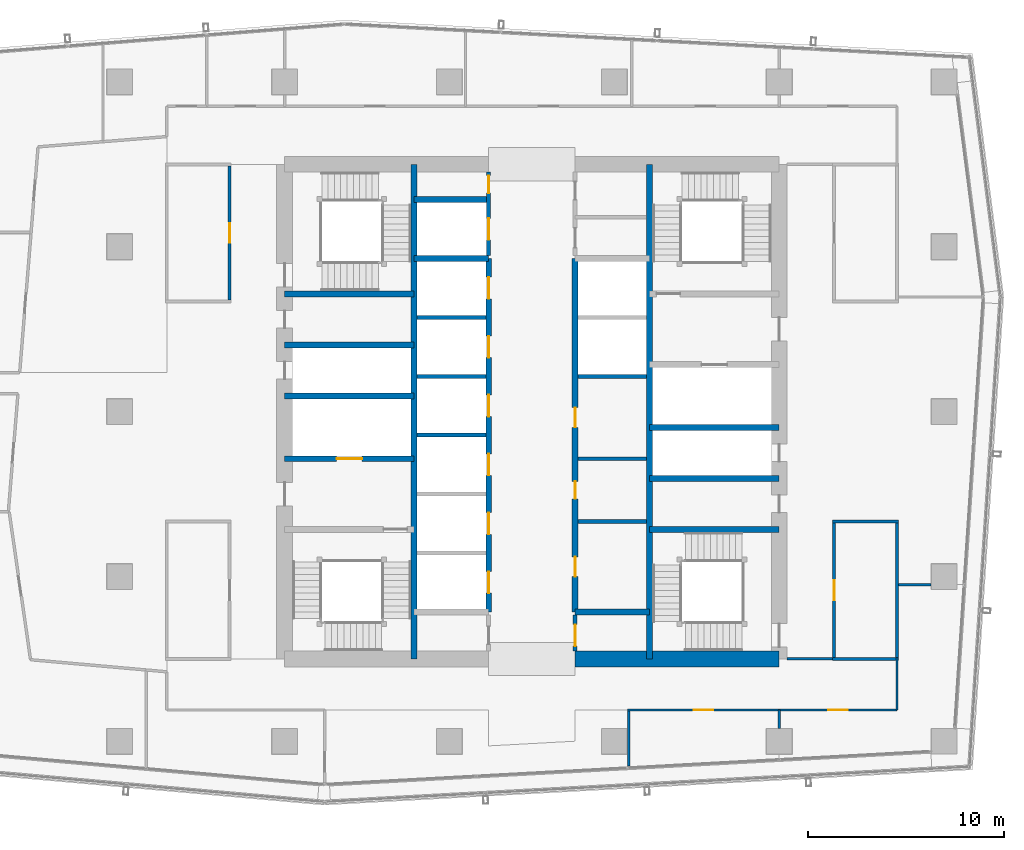
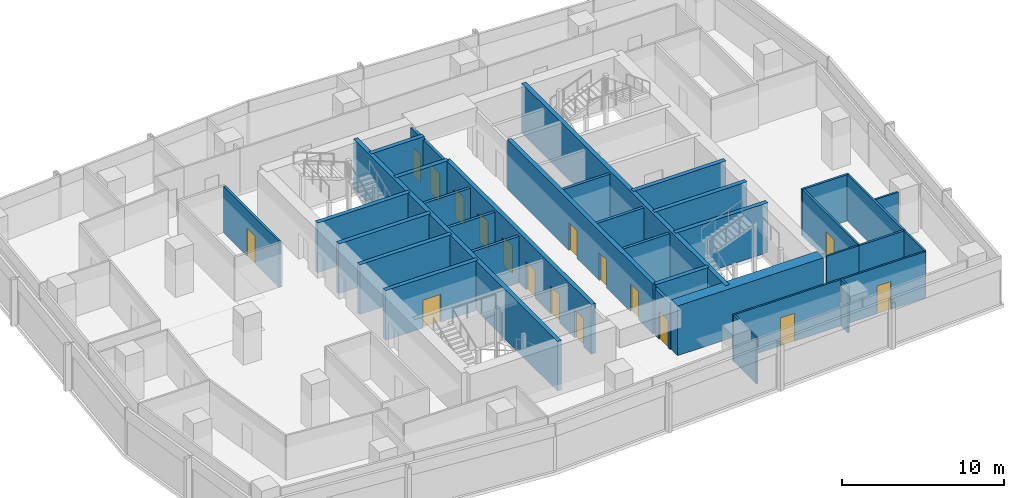
# One storey, part 23 of 29: 35 walls, 17 doors, 17 openings.
"""IFC4 building model written with IfcOpenShell, lengths in metres."""

from ifc_helpers import new_model, si_unit, direction, frame, frame_2d, origin, place, context, subcontext, project, spatial, rectangle, extrude, material, layer, layer_set, type_object, element, fill, save


model = new_model("IFC4")

# Units and contexts
model_context = context("Model", 3, precision=1e-05, world=origin(), true_north=direction((0.0, 1.0)))
body_context = subcontext(model_context, "Body", "Model", "MODEL_VIEW")
ifc_project = project(units=[si_unit("LENGTHUNIT", "METRE"), si_unit("AREAUNIT", "SQUARE_METRE"), si_unit("VOLUMEUNIT", "CUBIC_METRE"), si_unit("PLANEANGLEUNIT", "RADIAN"), si_unit("MASSUNIT", "GRAM", prefix="KILO")], contexts=[model_context])

# Site, building, storey
site_placement = place(None, origin())
site = spatial("IfcSite", under=ifc_project, at=site_placement, CompositionType="ELEMENT")
building_placement = place(site_placement, origin())
building = spatial("IfcBuilding", under=site, at=building_placement, Name="Rekha Terrace Tower", CompositionType="ELEMENT")
storey_placement = place(building_placement, frame((0.0, 0.0, 261.35009765625)))
storey = spatial("IfcBuildingStorey", under=building, at=storey_placement, Name="L66", CompositionType="ELEMENT", Elevation=261.35009765625)

# Walls
ifc_material_1 = material(Name="Concrete M60", Category="concrete")
ifc_layer_1 = layer(ifc_material_1, 0.300048828125)
ifc_layer_set_1 = layer_set([ifc_layer_1], Name="Concrete M60")
wall_type_1 = type_object("IfcWallType", Name="CI5 300 core internal shear wall", PredefinedType="SHEAR", material=ifc_layer_set_1)
for number, where, z_axis, x_axis, name in (
    (1, (31.800048828125, 21.0, 0.0), (0.0, 0.0, 1.0), (0.0, 1.0, 0.0), "Core wall X318 L66"),
    (2, (43.800048828125, 21.0, 0.0), (0.0, 0.0, 1.0), (0.0, 1.0, 0.0), "Core wall X438 L66"),
):
    element("IfcWall", number, at=place(storey_placement, frame(where, z_axis=z_axis, x_axis=x_axis)), inside=storey, type_object=wall_type_1, Name=name, PredefinedType="SHEAR", context=body_context, shape_type="SweptSolid", body=[
        extrude(rectangle(XDim=25.199951171875, YDim=0.300048828125, at=frame_2d((12.60009765625, 0.0))), origin(), (0.0, 0.0, 1.0), 3.75),
    ])

# Wall, openings, doors
wall_1_placement = place(storey_placement, frame((35.60009765625, 23.39990234375, 0.0), z_axis=(0.0, 0.0, 1.0), x_axis=(0.0, 1.0, 0.0)))
wall_1 = element("IfcWall", 3, at=wall_1_placement, inside=storey, type_object=wall_type_1, Name="Core wall X356 L66", PredefinedType="SHEAR", context=body_context, shape_type="SweptSolid", body=[
    extrude(rectangle(XDim=18.0, YDim=0.300048828125, at=frame_2d((9.0, 0.0))), origin(), (0.0, 0.0, 1.0), 3.75),
])
opening_1_placement = place(wall_1_placement, frame((0.949951171875, 0.0, 0.0)))
opening_1 = element("IfcOpeningElement", 4, at=opening_1_placement, cuts=wall_1, Name="Opening LD1", PredefinedType="OPENING", context=body_context, shape_type="SweptSolid", body=[
    extrude(rectangle(XDim=1.10009765625, YDim=2.10009765625, at=frame_2d((0.550048828125, 1.050048828125))), frame((0.0, 0.159912109375, 0.0), z_axis=(0.0, -1.0, 0.0), x_axis=(1.0, 0.0, 0.0)), (0.0, 0.0, 1.0), 0.320068359375),
])
opening_2_placement = place(wall_1_placement, frame((3.949951171875, 0.0, 0.0)))
opening_2 = element("IfcOpeningElement", 5, at=opening_2_placement, cuts=wall_1, Name="Opening LD1", PredefinedType="OPENING", context=body_context, shape_type="SweptSolid", body=[
    extrude(rectangle(XDim=1.10009765625, YDim=2.10009765625, at=frame_2d((0.550048828125, 1.050048828125))), frame((0.0, 0.159912109375, 0.0), z_axis=(0.0, -1.0, 0.0), x_axis=(1.0, 0.0, 0.0)), (0.0, 0.0, 1.0), 0.320068359375),
])
opening_3_placement = place(wall_1_placement, frame((6.949951171875, 0.0, 0.0)))
opening_3 = element("IfcOpeningElement", 6, at=opening_3_placement, cuts=wall_1, Name="Opening LD1", PredefinedType="OPENING", context=body_context, shape_type="SweptSolid", body=[
    extrude(rectangle(XDim=1.10009765625, YDim=2.10009765625, at=frame_2d((0.550048828125, 1.050048828125))), frame((0.0, 0.159912109375, 0.0), z_axis=(0.0, -1.0, 0.0), x_axis=(1.0, 0.0, 0.0)), (0.0, 0.0, 1.0), 0.320068359375),
])
opening_4_placement = place(wall_1_placement, frame((9.949951171875, 0.0, 0.0)))
opening_4 = element("IfcOpeningElement", 7, at=opening_4_placement, cuts=wall_1, Name="Opening LD1", PredefinedType="OPENING", context=body_context, shape_type="SweptSolid", body=[
    extrude(rectangle(XDim=1.10009765625, YDim=2.10009765625, at=frame_2d((0.550048828125, 1.050048828125))), frame((0.0, 0.159912109375, 0.0), z_axis=(0.0, -1.0, 0.0), x_axis=(1.0, 0.0, 0.0)), (0.0, 0.0, 1.0), 0.320068359375),
])
opening_5_placement = place(wall_1_placement, frame((12.949951171875, 0.0, 0.0)))
opening_5 = element("IfcOpeningElement", 8, at=opening_5_placement, cuts=wall_1, Name="Opening LD1", PredefinedType="OPENING", context=body_context, shape_type="SweptSolid", body=[
    extrude(rectangle(XDim=1.10009765625, YDim=2.10009765625, at=frame_2d((0.550048828125, 1.050048828125))), frame((0.0, 0.159912109375, 0.0), z_axis=(0.0, -1.0, 0.0), x_axis=(1.0, 0.0, 0.0)), (0.0, 0.0, 1.0), 0.320068359375),
])
opening_6_placement = place(wall_1_placement, frame((15.949951171875, 0.0, 0.0)))
opening_6 = element("IfcOpeningElement", 9, at=opening_6_placement, cuts=wall_1, Name="Opening LD1", PredefinedType="OPENING", context=body_context, shape_type="SweptSolid", body=[
    extrude(rectangle(XDim=1.10009765625, YDim=2.10009765625, at=frame_2d((0.550048828125, 1.050048828125))), frame((0.0, 0.159912109375, 0.0), z_axis=(0.0, -1.0, 0.0), x_axis=(1.0, 0.0, 0.0)), (0.0, 0.0, 1.0), 0.320068359375),
])
ifc_material_2 = material(Name="Stainless steel sliding landing door", Category="steel")
door_type_1 = type_object("IfcDoorType", Name="LD1 1100x2100 lift landing door", OperationType="SLIDING_TO_LEFT", PredefinedType="USERDEFINED", material=ifc_material_2)
door_1_placement = place(opening_1_placement, origin())
door_1 = element("IfcDoor", 10, at=door_1_placement, inside=storey, type_object=door_type_1, Name="Lift D1 landing door L66", ObjectType="LIFT LANDING DOOR", OperationType="SLIDING_TO_LEFT", OverallHeight=2.10009765625, OverallWidth=1.10009765625, PredefinedType="USERDEFINED", context=body_context, shape_type="SweptSolid", body=[
    extrude(rectangle(XDim=1.10009765625, YDim=2.10009765625, at=frame_2d((0.550048828125, 1.050048828125))), frame((0.0, 0.02490234375, 0.0), z_axis=(0.0, -1.0, 0.0), x_axis=(1.0, 0.0, 0.0)), (0.0, 0.0, 1.0), 0.050048828125),
])
fill(opening_1, door_1)
door_2_placement = place(opening_2_placement, origin())
door_2 = element("IfcDoor", 11, at=door_2_placement, inside=storey, type_object=door_type_1, Name="Lift D2 landing door L66", ObjectType="LIFT LANDING DOOR", OperationType="SLIDING_TO_LEFT", OverallHeight=2.10009765625, OverallWidth=1.10009765625, PredefinedType="USERDEFINED", context=body_context, shape_type="SweptSolid", body=[
    extrude(rectangle(XDim=1.10009765625, YDim=2.10009765625, at=frame_2d((0.550048828125, 1.050048828125))), frame((0.0, 0.02490234375, 0.0), z_axis=(0.0, -1.0, 0.0), x_axis=(1.0, 0.0, 0.0)), (0.0, 0.0, 1.0), 0.050048828125),
])
fill(opening_2, door_2)
door_3_placement = place(opening_3_placement, origin())
door_3 = element("IfcDoor", 12, at=door_3_placement, inside=storey, type_object=door_type_1, Name="Lift D3 landing door L66", ObjectType="LIFT LANDING DOOR", OperationType="SLIDING_TO_LEFT", OverallHeight=2.10009765625, OverallWidth=1.10009765625, PredefinedType="USERDEFINED", context=body_context, shape_type="SweptSolid", body=[
    extrude(rectangle(XDim=1.10009765625, YDim=2.10009765625, at=frame_2d((0.550048828125, 1.050048828125))), frame((0.0, 0.02490234375, 0.0), z_axis=(0.0, -1.0, 0.0), x_axis=(1.0, 0.0, 0.0)), (0.0, 0.0, 1.0), 0.050048828125),
])
fill(opening_3, door_3)
door_4_placement = place(opening_4_placement, origin())
door_4 = element("IfcDoor", 13, at=door_4_placement, inside=storey, type_object=door_type_1, Name="Lift D4 landing door L66", ObjectType="LIFT LANDING DOOR", OperationType="SLIDING_TO_LEFT", OverallHeight=2.10009765625, OverallWidth=1.10009765625, PredefinedType="USERDEFINED", context=body_context, shape_type="SweptSolid", body=[
    extrude(rectangle(XDim=1.10009765625, YDim=2.10009765625, at=frame_2d((0.550048828125, 1.050048828125))), frame((0.0, 0.02490234375, 0.0), z_axis=(0.0, -1.0, 0.0), x_axis=(1.0, 0.0, 0.0)), (0.0, 0.0, 1.0), 0.050048828125),
])
fill(opening_4, door_4)
door_5_placement = place(opening_5_placement, origin())
door_5 = element("IfcDoor", 14, at=door_5_placement, inside=storey, type_object=door_type_1, Name="Lift D5 landing door L66", ObjectType="LIFT LANDING DOOR", OperationType="SLIDING_TO_LEFT", OverallHeight=2.10009765625, OverallWidth=1.10009765625, PredefinedType="USERDEFINED", context=body_context, shape_type="SweptSolid", body=[
    extrude(rectangle(XDim=1.10009765625, YDim=2.10009765625, at=frame_2d((0.550048828125, 1.050048828125))), frame((0.0, 0.02490234375, 0.0), z_axis=(0.0, -1.0, 0.0), x_axis=(1.0, 0.0, 0.0)), (0.0, 0.0, 1.0), 0.050048828125),
])
fill(opening_5, door_5)
door_6_placement = place(opening_6_placement, origin())
door_6 = element("IfcDoor", 15, at=door_6_placement, inside=storey, type_object=door_type_1, Name="Lift D6 landing door L66", ObjectType="LIFT LANDING DOOR", OperationType="SLIDING_TO_LEFT", OverallHeight=2.10009765625, OverallWidth=1.10009765625, PredefinedType="USERDEFINED", context=body_context, shape_type="SweptSolid", body=[
    extrude(rectangle(XDim=1.10009765625, YDim=2.10009765625, at=frame_2d((0.550048828125, 1.050048828125))), frame((0.0, 0.02490234375, 0.0), z_axis=(0.0, -1.0, 0.0), x_axis=(1.0, 0.0, 0.0)), (0.0, 0.0, 1.0), 0.050048828125),
])
fill(opening_6, door_6)

wall_2_placement = place(storey_placement, frame((40.0, 23.39990234375, 0.0), z_axis=(0.0, 0.0, 1.0), x_axis=(0.0, 1.0, 0.0)))
wall_2 = element("IfcWall", 16, at=wall_2_placement, inside=storey, type_object=wall_type_1, Name="Core wall X400 L66", PredefinedType="SHEAR", context=body_context, shape_type="SweptSolid", body=[
    extrude(rectangle(XDim=18.0, YDim=0.300048828125, at=frame_2d((9.0, 0.0))), origin(), (0.0, 0.0, 1.0), 3.75),
])
opening_7_placement = place(wall_2_placement, frame((1.800048828125, 0.0, 0.0)))
opening_7 = element("IfcOpeningElement", 17, at=opening_7_placement, cuts=wall_2, Name="Opening D3", PredefinedType="OPENING", context=body_context, shape_type="SweptSolid", body=[
    extrude(rectangle(XDim=1.0, YDim=2.10009765625, at=frame_2d((0.5, 1.050048828125))), frame((0.0, 0.159912109375, 0.0), z_axis=(0.0, -1.0, 0.0), x_axis=(1.0, 0.0, 0.0)), (0.0, 0.0, 1.0), 0.320068359375),
])
opening_8_placement = place(wall_2_placement, frame((5.75, 0.0, 0.0)))
opening_8 = element("IfcOpeningElement", 18, at=opening_8_placement, cuts=wall_2, Name="Opening D5", PredefinedType="OPENING", context=body_context, shape_type="SweptSolid", body=[
    extrude(rectangle(XDim=0.89990234375, YDim=2.10009765625, at=frame_2d((0.449951171875, 1.050048828125))), frame((0.0, 0.159912109375, 0.0), z_axis=(0.0, -1.0, 0.0), x_axis=(1.0, 0.0, 0.0)), (0.0, 0.0, 1.0), 0.320068359375),
])
opening_9_placement = place(wall_2_placement, frame((9.39990234375, 0.0, 0.0)))
opening_9 = element("IfcOpeningElement", 19, at=opening_9_placement, cuts=wall_2, Name="Opening D3", PredefinedType="OPENING", context=body_context, shape_type="SweptSolid", body=[
    extrude(rectangle(XDim=1.0, YDim=2.10009765625, at=frame_2d((0.5, 1.050048828125))), frame((0.0, 0.159912109375, 0.0), z_axis=(0.0, -1.0, 0.0), x_axis=(1.0, 0.0, 0.0)), (0.0, 0.0, 1.0), 0.320068359375),
])
ifc_material_3 = material(Name="Laminated timber fire door", Category="wood")
door_type_2 = type_object("IfcDoorType", Name="D3 1000x2100 WC door", OperationType="SINGLE_SWING_LEFT", PredefinedType="DOOR", material=ifc_material_3)
door_7_placement = place(opening_7_placement, origin())
door_7 = element("IfcDoor", 20, at=door_7_placement, inside=storey, type_object=door_type_2, Name="Door staff wc L66", OperationType="SINGLE_SWING_LEFT", OverallHeight=2.10009765625, OverallWidth=1.0, PredefinedType="DOOR", context=body_context, shape_type="SweptSolid", body=[
    extrude(rectangle(XDim=1.0, YDim=2.10009765625, at=frame_2d((0.5, 1.050048828125))), frame((0.0, 0.02490234375, 0.0), z_axis=(0.0, -1.0, 0.0), x_axis=(1.0, 0.0, 0.0)), (0.0, 0.0, 1.0), 0.050048828125),
])
fill(opening_7, door_7)
door_8_placement = place(opening_9_placement, origin())
door_8 = element("IfcDoor", 21, at=door_8_placement, inside=storey, type_object=door_type_2, Name="Door staff wc L66", OperationType="SINGLE_SWING_LEFT", OverallHeight=2.10009765625, OverallWidth=1.0, PredefinedType="DOOR", context=body_context, shape_type="SweptSolid", body=[
    extrude(rectangle(XDim=1.0, YDim=2.10009765625, at=frame_2d((0.5, 1.050048828125))), frame((0.0, 0.02490234375, 0.0), z_axis=(0.0, -1.0, 0.0), x_axis=(1.0, 0.0, 0.0)), (0.0, 0.0, 1.0), 0.050048828125),
])
fill(opening_9, door_8)
ifc_material_4 = material(Name="Steel fire door", Category="steel")
door_type_3 = type_object("IfcDoorType", Name="D5 900x2100 riser access door", OperationType="SINGLE_SWING_LEFT", PredefinedType="DOOR", material=ifc_material_4)
door_9_placement = place(opening_8_placement, origin())
door_9 = element("IfcDoor", 22, at=door_9_placement, inside=storey, type_object=door_type_3, Name="Door records store L66", OperationType="SINGLE_SWING_LEFT", OverallHeight=2.10009765625, OverallWidth=0.89990234375, PredefinedType="DOOR", context=body_context, shape_type="SweptSolid", body=[
    extrude(rectangle(XDim=0.89990234375, YDim=2.10009765625, at=frame_2d((0.449951171875, 1.050048828125))), frame((0.0, 0.02490234375, 0.0), z_axis=(0.0, -1.0, 0.0), x_axis=(1.0, 0.0, 0.0)), (0.0, 0.0, 1.0), 0.050048828125),
])
fill(opening_8, door_9)

# Walls
for number, where, z_axis, x_axis, name in (
    (23, (31.800048828125, 41.39990234375, 0.0), (0.0, 0.0, 1.0), (1.0, 0.0, 0.0), "Core wall Y414W L66"),
    (24, (31.800048828125, 44.39990234375, 0.0), (0.0, 0.0, 1.0), (1.0, 0.0, 0.0), "Core wall Y444W L66"),
    (25, (40.0, 23.39990234375, 0.0), (0.0, 0.0, 1.0), (1.0, 0.0, 0.0), "Core wall Y234E L66"),
):
    element("IfcWall", number, at=place(storey_placement, frame(where, z_axis=z_axis, x_axis=x_axis)), inside=storey, type_object=wall_type_1, Name=name, PredefinedType="SHEAR", context=body_context, shape_type="SweptSolid", body=[
        extrude(rectangle(XDim=3.800048828125, YDim=0.300048828125, at=frame_2d((1.89990234375, 0.0))), origin(), (0.0, 0.0, 1.0), 3.75),
    ])

# Wall, opening, door
wall_3_placement = place(storey_placement, frame((25.199951171875, 31.199951171875, 0.0), z_axis=(0.0, 0.0, 1.0), x_axis=(1.0, 0.0, 0.0)))
wall_3 = element("IfcWall", 26, at=wall_3_placement, inside=storey, type_object=wall_type_1, Name="Core wall Y312W L66", PredefinedType="SHEAR", context=body_context, shape_type="SweptSolid", body=[
    extrude(rectangle(XDim=6.60009765625, YDim=0.300048828125, at=frame_2d((3.300048828125, 0.0))), origin(), (0.0, 0.0, 1.0), 3.75),
])
opening_10_placement = place(wall_3_placement, frame((2.64990234375, 0.0, 0.0)))
opening_10 = element("IfcOpeningElement", 27, at=opening_10_placement, cuts=wall_3, Name="Opening LD2", PredefinedType="OPENING", context=body_context, shape_type="SweptSolid", body=[
    extrude(rectangle(XDim=1.300048828125, YDim=2.10009765625, at=frame_2d((0.64990234375, 1.050048828125))), frame((0.0, 0.159912109375, 0.0), z_axis=(0.0, -1.0, 0.0), x_axis=(1.0, 0.0, 0.0)), (0.0, 0.0, 1.0), 0.320068359375),
])
door_type_4 = type_object("IfcDoorType", Name="LD2 1300x2100 fire lift landing door", OperationType="SLIDING_TO_LEFT", PredefinedType="USERDEFINED", material=ifc_material_2)
door_10_placement = place(opening_10_placement, origin())
door_10 = element("IfcDoor", 28, at=door_10_placement, inside=storey, type_object=door_type_4, Name="Lift FL1 landing door L66", ObjectType="LIFT LANDING DOOR", OperationType="SLIDING_TO_LEFT", OverallHeight=2.10009765625, OverallWidth=1.300048828125, PredefinedType="USERDEFINED", context=body_context, shape_type="SweptSolid", body=[
    extrude(rectangle(XDim=1.300048828125, YDim=2.10009765625, at=frame_2d((0.64990234375, 1.050048828125))), frame((0.0, 0.02490234375, 0.0), z_axis=(0.0, -1.0, 0.0), x_axis=(1.0, 0.0, 0.0)), (0.0, 0.0, 1.0), 0.050048828125),
])
fill(opening_10, door_10)

# Walls
for number, where, z_axis, x_axis, name in (
    (29, (25.199951171875, 34.39990234375, 0.0), (0.0, 0.0, 1.0), (1.0, 0.0, 0.0), "Core wall Y344W L66"),
    (30, (25.199951171875, 37.0, 0.0), (0.0, 0.0, 1.0), (1.0, 0.0, 0.0), "Core wall Y370W L66"),
    (31, (25.199951171875, 39.60009765625, 0.0), (0.0, 0.0, 1.0), (1.0, 0.0, 0.0), "Core wall Y396W L66"),
):
    element("IfcWall", number, at=place(storey_placement, frame(where, z_axis=z_axis, x_axis=x_axis)), inside=storey, type_object=wall_type_1, Name=name, PredefinedType="SHEAR", context=body_context, shape_type="SweptSolid", body=[
        extrude(rectangle(XDim=6.60009765625, YDim=0.300048828125, at=frame_2d((3.300048828125, 0.0))), origin(), (0.0, 0.0, 1.0), 3.75),
    ])
for number, where, z_axis, x_axis, name in (
    (32, (43.800048828125, 27.60009765625, 0.0), (0.0, 0.0, 1.0), (1.0, 0.0, 0.0), "Core wall Y276E L66"),
    (33, (43.800048828125, 30.199951171875, 0.0), (0.0, 0.0, 1.0), (1.0, 0.0, 0.0), "Core wall Y302E L66"),
    (34, (43.800048828125, 32.800048828125, 0.0), (0.0, 0.0, 1.0), (1.0, 0.0, 0.0), "Core wall Y328E L66"),
):
    element("IfcWall", number, at=place(storey_placement, frame(where, z_axis=z_axis, x_axis=x_axis)), inside=storey, type_object=wall_type_1, Name=name, PredefinedType="SHEAR", context=body_context, shape_type="SweptSolid", body=[
        extrude(rectangle(XDim=6.599853515625, YDim=0.300048828125, at=frame_2d((3.2998046875, 0.0))), origin(), (0.0, 0.0, 1.0), 3.75),
    ])
ifc_layer_2 = layer(ifc_material_1, 0.800048828125)
ifc_layer_set_2 = layer_set([ifc_layer_2], Name="Concrete M60")
wall_type_2 = type_object("IfcWallType", Name="SW5 800 core outer shear wall", PredefinedType="SHEAR", material=ifc_layer_set_2)
wall_4_placement = place(storey_placement, frame((40.0, 21.0, 0.0), z_axis=(0.0, 0.0, 1.0), x_axis=(1.0, 0.0, 0.0)))
element("IfcWall", 35, at=wall_4_placement, inside=storey, type_object=wall_type_2, Name="Core wall S2 L66", PredefinedType="SHEAR", context=body_context, shape_type="SweptSolid", body=[
    extrude(rectangle(XDim=10.39990234375, YDim=0.800048828125, at=frame_2d((5.199951171875, 0.0))), origin(), (0.0, 0.0, 1.0), 3.75),
])

# Wall, opening, door
ifc_material_5 = material(Name="Concrete block masonry, 1 hour", Category="masonry")
ifc_layer_3 = layer(ifc_material_5, 0.14990234375)
ifc_layer_set_3 = layer_set([ifc_layer_3], Name="Concrete block masonry, 1 hour")
wall_type_3 = type_object("IfcWallType", Name="WP2 150 tenancy partition", PredefinedType="PARTITIONING", material=ifc_layer_set_3)
wall_5_placement = place(storey_placement, frame((22.39990234375, 39.27490234375, 0.0), z_axis=(0.0, 0.0, 1.0), x_axis=(0.0, 1.0, 0.0)))
wall_5 = element("IfcWall", 36, at=wall_5_placement, inside=storey, type_object=wall_type_3, Name="Women's WC wall L66", PredefinedType="PARTITIONING", context=body_context, shape_type="SweptSolid", body=[
    extrude(rectangle(XDim=6.85009765625, YDim=0.14990234375, at=frame_2d((3.425048828125, 0.0))), origin(), (0.0, 0.0, 1.0), 3.5),
])
opening_11_placement = place(wall_5_placement, frame((2.925048828125, 0.0, 0.0)))
opening_11 = element("IfcOpeningElement", 37, at=opening_11_placement, cuts=wall_5, Name="Opening D3", PredefinedType="OPENING", context=body_context, shape_type="SweptSolid", body=[
    extrude(rectangle(XDim=1.0, YDim=2.10009765625, at=frame_2d((0.5, 1.050048828125))), frame((0.0, 0.0849609375, 0.0), z_axis=(0.0, -1.0, 0.0), x_axis=(1.0, 0.0, 0.0)), (0.0, 0.0, 1.0), 0.169921875),
])
door_11_placement = place(opening_11_placement, origin())
door_11 = element("IfcDoor", 38, at=door_11_placement, inside=storey, type_object=door_type_2, Name="Door women's wc L66", OperationType="SINGLE_SWING_LEFT", OverallHeight=2.10009765625, OverallWidth=1.0, PredefinedType="DOOR", context=body_context, shape_type="SweptSolid", body=[
    extrude(rectangle(XDim=1.0, YDim=2.10009765625, at=frame_2d((0.5, 1.050048828125))), frame((0.0, 0.02490234375, 0.0), z_axis=(0.0, -1.0, 0.0), x_axis=(1.0, 0.0, 0.0)), (0.0, 0.0, 1.0), 0.050048828125),
])
fill(opening_11, door_11)

# Walls
for number, where, z_axis, x_axis, name in (
    (39, (53.125, 21.0, 0.0), (0.0, 0.0, 1.0), (1.0, 0.0, 0.0), "Men's WC wall L66"),
    (40, (53.125, 28.0, 0.0), (0.0, 0.0, 1.0), (1.0, 0.0, 0.0), "Men's WC wall L66"),
):
    element("IfcWall", number, at=place(storey_placement, frame(where, z_axis=z_axis, x_axis=x_axis)), inside=storey, type_object=wall_type_3, Name=name, PredefinedType="PARTITIONING", context=body_context, shape_type="SweptSolid", body=[
        extrude(rectangle(XDim=3.35009765625, YDim=0.14990234375, at=frame_2d((1.675048828125, 0.0))), origin(), (0.0, 0.0, 1.0), 3.5),
    ])

# Wall, opening, door
wall_6_placement = place(storey_placement, frame((53.199951171875, 21.074951171875, 0.0), z_axis=(0.0, 0.0, 1.0), x_axis=(0.0, 1.0, 0.0)))
wall_6 = element("IfcWall", 41, at=wall_6_placement, inside=storey, type_object=wall_type_3, Name="Men's WC wall L66", PredefinedType="PARTITIONING", context=body_context, shape_type="SweptSolid", body=[
    extrude(rectangle(XDim=6.85009765625, YDim=0.14990234375, at=frame_2d((3.425048828125, 0.0))), origin(), (0.0, 0.0, 1.0), 3.5),
])
opening_12_placement = place(wall_6_placement, frame((2.925048828125, 0.0, 0.0)))
opening_12 = element("IfcOpeningElement", 42, at=opening_12_placement, cuts=wall_6, Name="Opening D3", PredefinedType="OPENING", context=body_context, shape_type="SweptSolid", body=[
    extrude(rectangle(XDim=1.0, YDim=2.10009765625, at=frame_2d((0.5, 1.050048828125))), frame((0.0, 0.0849609375, 0.0), z_axis=(0.0, -1.0, 0.0), x_axis=(1.0, 0.0, 0.0)), (0.0, 0.0, 1.0), 0.169921875),
])
door_12_placement = place(opening_12_placement, origin())
door_12 = element("IfcDoor", 43, at=door_12_placement, inside=storey, type_object=door_type_2, Name="Door men's wc L66", OperationType="SINGLE_SWING_LEFT", OverallHeight=2.10009765625, OverallWidth=1.0, PredefinedType="DOOR", context=body_context, shape_type="SweptSolid", body=[
    extrude(rectangle(XDim=1.0, YDim=2.10009765625, at=frame_2d((0.5, 1.050048828125))), frame((0.0, 0.02490234375, 0.0), z_axis=(0.0, -1.0, 0.0), x_axis=(1.0, 0.0, 0.0)), (0.0, 0.0, 1.0), 0.050048828125),
])
fill(opening_12, door_12)

# Walls
wall_7_placement = place(storey_placement, frame((56.39990234375, 21.074951171875, 0.0), z_axis=(0.0, 0.0, 1.0), x_axis=(0.0, 1.0, 0.0)))
element("IfcWall", 44, at=wall_7_placement, inside=storey, type_object=wall_type_3, Name="Men's WC wall L66", PredefinedType="PARTITIONING", context=body_context, shape_type="SweptSolid", body=[
    extrude(rectangle(XDim=6.85009765625, YDim=0.14990234375, at=frame_2d((3.425048828125, 0.0))), origin(), (0.0, 0.0, 1.0), 3.5),
])
ifc_material_6 = material(Name="Two layers of fire-rated gypsum board each side on steel studs, acoustic quilt, 1 hour", Category="steel")
ifc_layer_4 = layer(ifc_material_6, 0.125)
ifc_layer_set_4 = layer_set([ifc_layer_4], Name="Two layers of fire-rated gypsum board each side on steel studs, acoustic quilt, 1 hour")
wall_type_4 = type_object("IfcWallType", Name="WP3 125 office partition", PredefinedType="PARTITIONING", material=ifc_layer_set_4)
wall_8_placement = place(storey_placement, frame((50.39990234375, 18.39990234375, 0.0), z_axis=(0.0, 0.0, 1.0), x_axis=(0.0, -1.0, 0.0)))
element("IfcWall", 45, at=wall_8_placement, inside=storey, type_object=wall_type_4, Name="Partition L66-02", PredefinedType="PARTITIONING", context=body_context, shape_type="SweptSolid", body=[
    extrude(rectangle(XDim=0.929931640625, YDim=0.125, at=frame_2d((0.46484375, 0.0))), origin(), (0.0, 0.0, 1.0), 3.5),
])
wall_9_placement = place(storey_placement, frame((42.741943359375, 15.5380859375, 0.0), z_axis=(0.0, 0.0, 1.0), x_axis=(0.0, 1.0, 0.0)))
element("IfcWall", 46, at=wall_9_placement, inside=storey, type_object=wall_type_4, Name="Partition L66-02", PredefinedType="PARTITIONING", context=body_context, shape_type="SweptSolid", body=[
    extrude(rectangle(XDim=2.798828125, YDim=0.125, at=frame_2d((1.3994140625, 0.0))), origin(), (0.0, 0.0, 1.0), 3.5),
])

# Wall, opening, door
wall_10_placement = place(storey_placement, frame((42.674072265625, 18.39990234375, 0.0), z_axis=(0.0, 0.0, 1.0), x_axis=(1.0, 0.0, 0.0)))
wall_10 = element("IfcWall", 47, at=wall_10_placement, inside=storey, type_object=wall_type_4, Name="Partition L66-02", PredefinedType="PARTITIONING", context=body_context, shape_type="SweptSolid", body=[
    extrude(rectangle(XDim=7.725830078125, YDim=0.125, at=frame_2d((3.86279296875, 0.0))), origin(), (0.0, 0.0, 1.0), 3.5),
])
opening_13_placement = place(wall_10_placement, frame((3.363037109375, 0.0, 0.0)))
opening_13 = element("IfcOpeningElement", 48, at=opening_13_placement, cuts=wall_10, Name="Opening D9", PredefinedType="OPENING", context=body_context, shape_type="SweptSolid", body=[
    extrude(rectangle(XDim=1.0, YDim=2.10009765625, at=frame_2d((0.5, 1.050048828125))), frame((0.0, 0.072509765625, 0.0), z_axis=(0.0, -1.0, 0.0), x_axis=(1.0, 0.0, 0.0)), (0.0, 0.0, 1.0), 0.14501953125),
])
ifc_material_7 = material(Name="Timber fire door", Category="wood")
door_type_5 = type_object("IfcDoorType", Name="D9 1000x2100 office door", OperationType="SINGLE_SWING_LEFT", PredefinedType="DOOR", material=ifc_material_7)
door_13_placement = place(opening_13_placement, origin())
door_13 = element("IfcDoor", 49, at=door_13_placement, inside=storey, type_object=door_type_5, Name="Door meeting room L66", OperationType="SINGLE_SWING_LEFT", OverallHeight=2.10009765625, OverallWidth=1.0, PredefinedType="DOOR", context=body_context, shape_type="SweptSolid", body=[
    extrude(rectangle(XDim=1.0, YDim=2.10009765625, at=frame_2d((0.5, 1.050048828125))), frame((0.0, 0.02490234375, 0.0), z_axis=(0.0, -1.0, 0.0), x_axis=(1.0, 0.0, 0.0)), (0.0, 0.0, 1.0), 0.050048828125),
])
fill(opening_13, door_13)

# Wall
wall_11_placement = place(storey_placement, frame((56.47509765625, 24.785888671875, 0.0), z_axis=(0.0, 0.0, 1.0), x_axis=(1.0, 0.0, 0.0)))
element("IfcWall", 50, at=wall_11_placement, inside=storey, type_object=wall_type_4, Name="Partition L66-03", PredefinedType="PARTITIONING", context=body_context, shape_type="SweptSolid", body=[
    extrude(rectangle(XDim=1.65478515625, YDim=0.125, at=frame_2d((0.827392578125, 0.0))), origin(), (0.0, 0.0, 1.0), 3.5),
])

# Wall, opening, door
wall_12_placement = place(storey_placement, frame((50.40087890625, 18.39990234375, 0.0), z_axis=(0.0, 0.0, 1.0), x_axis=(1.0, 0.0, 0.0)))
wall_12 = element("IfcWall", 51, at=wall_12_placement, inside=storey, type_object=wall_type_4, Name="Partition L66-03", PredefinedType="PARTITIONING", context=body_context, shape_type="SweptSolid", body=[
    extrude(rectangle(XDim=5.9990234375, YDim=0.125, at=frame_2d((2.99951171875, 0.0))), origin(), (0.0, 0.0, 1.0), 3.5),
])
opening_14_placement = place(wall_12_placement, frame((2.4990234375, 0.0, 0.0)))
opening_14 = element("IfcOpeningElement", 52, at=opening_14_placement, cuts=wall_12, Name="Opening D9", PredefinedType="OPENING", context=body_context, shape_type="SweptSolid", body=[
    extrude(rectangle(XDim=1.0, YDim=2.10009765625, at=frame_2d((0.5, 1.050048828125))), frame((0.0, 0.072509765625, 0.0), z_axis=(0.0, -1.0, 0.0), x_axis=(1.0, 0.0, 0.0)), (0.0, 0.0, 1.0), 0.14501953125),
])
door_14_placement = place(opening_14_placement, origin())
door_14 = element("IfcDoor", 53, at=door_14_placement, inside=storey, type_object=door_type_5, Name="Door director's office L66", OperationType="SINGLE_SWING_LEFT", OverallHeight=2.10009765625, OverallWidth=1.0, PredefinedType="DOOR", context=body_context, shape_type="SweptSolid", body=[
    extrude(rectangle(XDim=1.0, YDim=2.10009765625, at=frame_2d((0.5, 1.050048828125))), frame((0.0, 0.02490234375, 0.0), z_axis=(0.0, -1.0, 0.0), x_axis=(1.0, 0.0, 0.0)), (0.0, 0.0, 1.0), 0.050048828125),
])
fill(opening_14, door_14)

# Walls
wall_13_placement = place(storey_placement, frame((56.39990234375, 18.39990234375, 0.0), z_axis=(0.0, 0.0, 1.0), x_axis=(0.0, 1.0, 0.0)))
element("IfcWall", 54, at=wall_13_placement, inside=storey, type_object=wall_type_4, Name="Partition L66-03", PredefinedType="PARTITIONING", context=body_context, shape_type="SweptSolid", body=[
    extrude(rectangle(XDim=2.675048828125, YDim=0.125, at=frame_2d((1.33740234375, 0.0))), origin(), (0.0, 0.0, 1.0), 3.5),
])
wall_14_placement = place(storey_placement, frame((53.1240234375, 21.0, 0.0), z_axis=(0.0, 0.0, 1.0), x_axis=(-1.0, 0.0, 0.0)))
element("IfcWall", 55, at=wall_14_placement, inside=storey, type_object=wall_type_4, Name="Partition L66-05", PredefinedType="PARTITIONING", context=body_context, shape_type="SweptSolid", body=[
    extrude(rectangle(XDim=2.323974609375, YDim=0.125, at=frame_2d((1.162109375, 0.0))), origin(), (0.0, 0.0, 1.0), 3.5),
])
ifc_material_8 = material(Name="Solid concrete block masonry, 2 hour", Category="masonry")
ifc_layer_5 = layer(ifc_material_8, 0.199951171875)
ifc_layer_set_5 = layer_set([ifc_layer_5], Name="Solid concrete block masonry, 2 hour")
wall_type_5 = type_object("IfcWallType", Name="WS1 200 stair and shaft enclosure", PredefinedType="PARTITIONING", material=ifc_layer_set_5)
for number, where, z_axis, x_axis, name in (
    (56, (31.949951171875, 32.39990234375, 0.0), (0.0, 0.0, 1.0), (1.0, 0.0, 0.0), "Lift shaft divider L66"),
    (57, (31.949951171875, 35.39990234375, 0.0), (0.0, 0.0, 1.0), (1.0, 0.0, 0.0), "Lift shaft divider L66"),
    (58, (31.949951171875, 38.39990234375, 0.0), (0.0, 0.0, 1.0), (1.0, 0.0, 0.0), "Lift shaft divider L66"),
    (59, (40.14990234375, 35.39990234375, 0.0), (0.0, 0.0, 1.0), (1.0, 0.0, 0.0), "Lift shaft divider L66"),
):
    element("IfcWall", number, at=place(storey_placement, frame(where, z_axis=z_axis, x_axis=x_axis)), inside=storey, type_object=wall_type_5, Name=name, PredefinedType="PARTITIONING", context=body_context, shape_type="SweptSolid", body=[
        extrude(rectangle(XDim=3.5, YDim=0.199951171875, at=frame_2d((1.75, 0.0))), origin(), (0.0, 0.0, 1.0), 3.5),
    ])

# Wall, opening, door
wall_15_placement = place(storey_placement, frame((40.0, 21.39990234375, 0.0), z_axis=(0.0, 0.0, 1.0), x_axis=(0.0, 1.0, 0.0)))
wall_15 = element("IfcWall", 60, at=wall_15_placement, inside=storey, type_object=wall_type_5, Name="Core partition wca L66", PredefinedType="PARTITIONING", context=body_context, shape_type="SweptSolid", body=[
    extrude(rectangle(XDim=1.85009765625, YDim=0.199951171875, at=frame_2d((0.925048828125, 0.0))), origin(), (0.0, 0.0, 1.0), 3.5),
])
opening_15_placement = place(wall_15_placement, frame((0.25, 0.0, 0.0)))
opening_15 = element("IfcOpeningElement", 61, at=opening_15_placement, cuts=wall_15, Name="Opening D4", PredefinedType="OPENING", context=body_context, shape_type="SweptSolid", body=[
    extrude(rectangle(XDim=1.10009765625, YDim=2.10009765625, at=frame_2d((0.550048828125, 1.050048828125))), frame((0.0, 0.10986328125, 0.0), z_axis=(0.0, -1.0, 0.0), x_axis=(1.0, 0.0, 0.0)), (0.0, 0.0, 1.0), 0.219970703125),
])
door_type_6 = type_object("IfcDoorType", Name="D4 1100x2100 accessible WC door", OperationType="SLIDING_TO_LEFT", PredefinedType="DOOR", material=ifc_material_3)
door_15_placement = place(opening_15_placement, origin())
door_15 = element("IfcDoor", 62, at=door_15_placement, inside=storey, type_object=door_type_6, Name="Door wca L66", OperationType="SLIDING_TO_LEFT", OverallHeight=2.10009765625, OverallWidth=1.10009765625, PredefinedType="DOOR", context=body_context, shape_type="SweptSolid", body=[
    extrude(rectangle(XDim=1.10009765625, YDim=2.10009765625, at=frame_2d((0.550048828125, 1.050048828125))), frame((0.0, 0.02490234375, 0.0), z_axis=(0.0, -1.0, 0.0), x_axis=(1.0, 0.0, 0.0)), (0.0, 0.0, 1.0), 0.050048828125),
])
fill(opening_15, door_15)

# Wall, openings, doors
wall_16_placement = place(storey_placement, frame((35.60009765625, 41.550048828125, 0.0), z_axis=(0.0, 0.0, 1.0), x_axis=(0.0, 1.0, 0.0)))
wall_16 = element("IfcWall", 63, at=wall_16_placement, inside=storey, type_object=wall_type_5, Name="Core partition jansv L66", PredefinedType="PARTITIONING", context=body_context, shape_type="SweptSolid", body=[
    extrude(rectangle(XDim=4.25, YDim=0.199951171875, at=frame_2d((2.125, 0.0))), origin(), (0.0, 0.0, 1.0), 3.5),
])
opening_16_placement = place(wall_16_placement, frame((3.175048828125, 0.0, 0.0)))
opening_16 = element("IfcOpeningElement", 64, at=opening_16_placement, cuts=wall_16, Name="Opening D5", PredefinedType="OPENING", context=body_context, shape_type="SweptSolid", body=[
    extrude(rectangle(XDim=0.89990234375, YDim=2.10009765625, at=frame_2d((0.449951171875, 1.050048828125))), frame((0.0, 0.10986328125, 0.0), z_axis=(0.0, -1.0, 0.0), x_axis=(1.0, 0.0, 0.0)), (0.0, 0.0, 1.0), 0.219970703125),
])
opening_17_placement = place(wall_16_placement, frame((0.800048828125, 0.0, 0.0)))
opening_17 = element("IfcOpeningElement", 65, at=opening_17_placement, cuts=wall_16, Name="Opening LD1", PredefinedType="OPENING", context=body_context, shape_type="SweptSolid", body=[
    extrude(rectangle(XDim=1.10009765625, YDim=2.10009765625, at=frame_2d((0.550048828125, 1.050048828125))), frame((0.0, 0.10986328125, 0.0), z_axis=(0.0, -1.0, 0.0), x_axis=(1.0, 0.0, 0.0)), (0.0, 0.0, 1.0), 0.219970703125),
])
door_16_placement = place(opening_16_placement, origin())
door_16 = element("IfcDoor", 66, at=door_16_placement, inside=storey, type_object=door_type_3, Name="Door janitor room L66", OperationType="SINGLE_SWING_LEFT", OverallHeight=2.10009765625, OverallWidth=0.89990234375, PredefinedType="DOOR", context=body_context, shape_type="SweptSolid", body=[
    extrude(rectangle(XDim=0.89990234375, YDim=2.10009765625, at=frame_2d((0.449951171875, 1.050048828125))), frame((0.0, 0.02490234375, 0.0), z_axis=(0.0, -1.0, 0.0), x_axis=(1.0, 0.0, 0.0)), (0.0, 0.0, 1.0), 0.050048828125),
])
fill(opening_16, door_16)
door_17_placement = place(opening_17_placement, origin())
door_17 = element("IfcDoor", 67, at=door_17_placement, inside=storey, type_object=door_type_1, Name="Lift SV1 landing door L66", ObjectType="LIFT LANDING DOOR", OperationType="SLIDING_TO_LEFT", OverallHeight=2.10009765625, OverallWidth=1.10009765625, PredefinedType="USERDEFINED", context=body_context, shape_type="SweptSolid", body=[
    extrude(rectangle(XDim=1.10009765625, YDim=2.10009765625, at=frame_2d((0.550048828125, 1.050048828125))), frame((0.0, 0.02490234375, 0.0), z_axis=(0.0, -1.0, 0.0), x_axis=(1.0, 0.0, 0.0)), (0.0, 0.0, 1.0), 0.050048828125),
])
fill(opening_17, door_17)

# Walls
for number, where, z_axis, x_axis, name in (
    (68, (40.14990234375, 28.0, 0.0), (0.0, 0.0, 1.0), (1.0, 0.0, 0.0), "Core partition freed shafts L66"),
    (69, (40.14990234375, 31.199951171875, 0.0), (0.0, 0.0, 1.0), (1.0, 0.0, 0.0), "Core partition freed shafts L66"),
):
    element("IfcWall", number, at=place(storey_placement, frame(where, z_axis=z_axis, x_axis=x_axis)), inside=storey, type_object=wall_type_5, Name=name, PredefinedType="PARTITIONING", context=body_context, shape_type="SweptSolid", body=[
        extrude(rectangle(XDim=3.5, YDim=0.199951171875, at=frame_2d((1.75, 0.0))), origin(), (0.0, 0.0, 1.0), 3.5),
    ])

save(model, "model.ifc")
